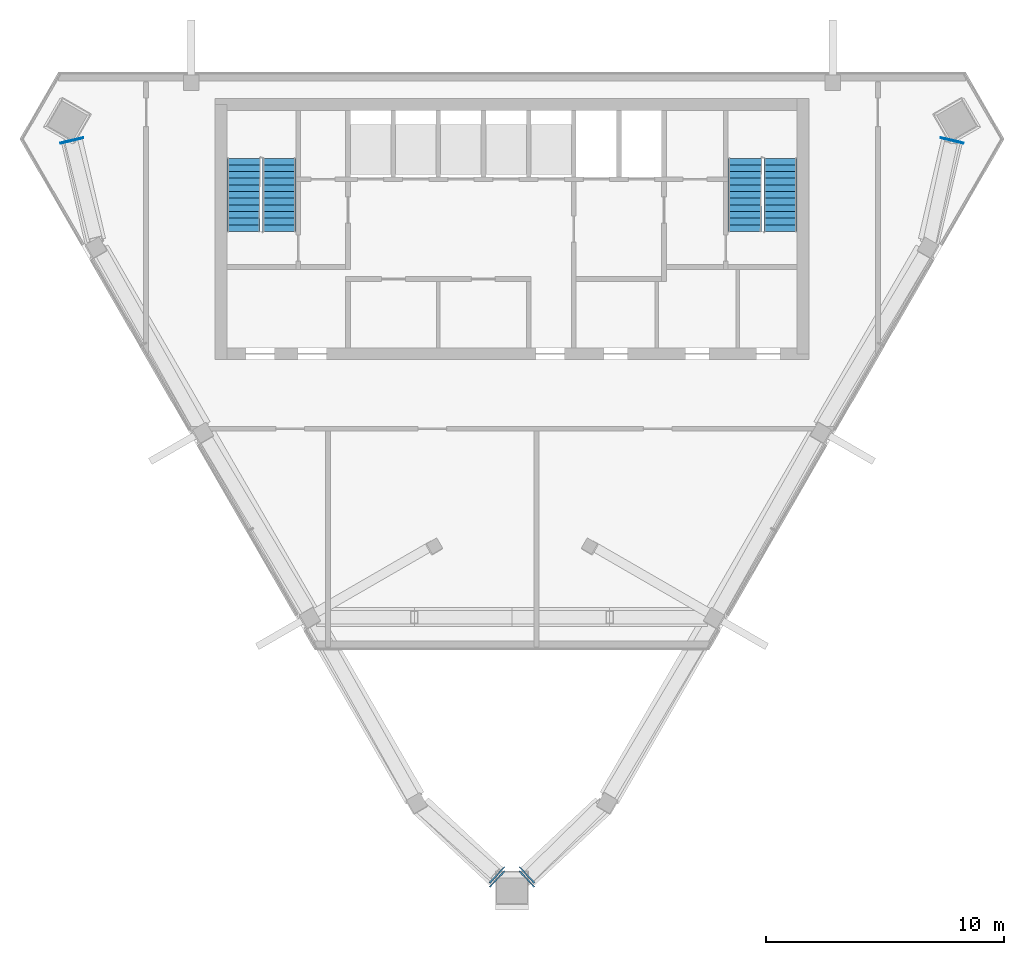
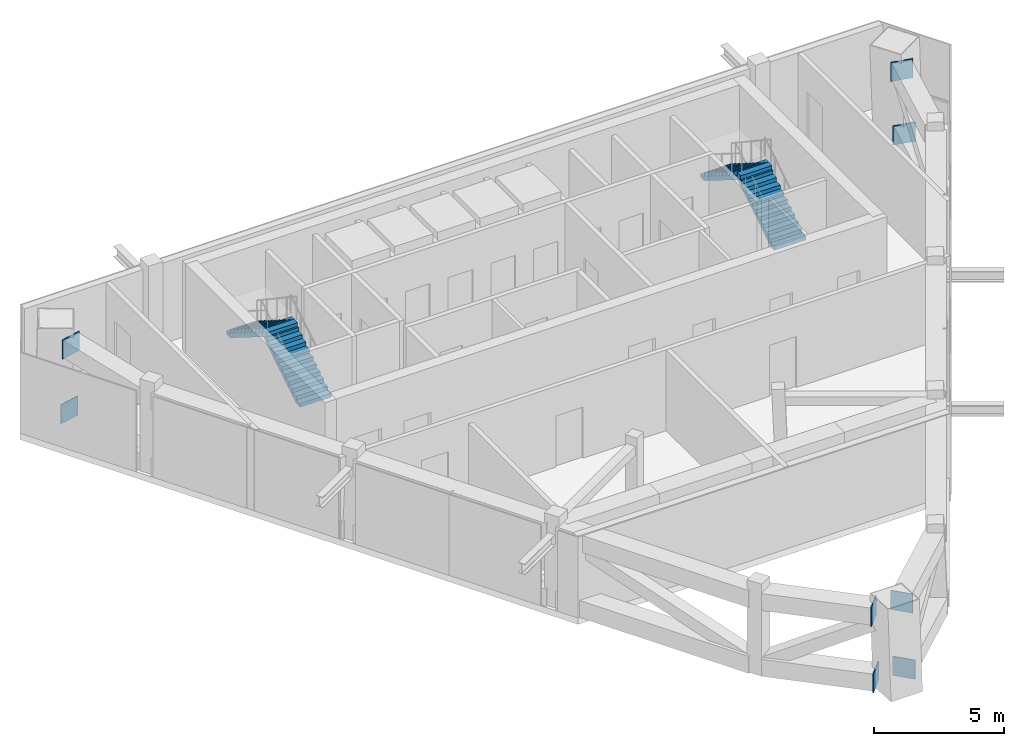
# One storey, part 7 of 9: 8 discrete accessories, 4 stair flights, 2 elements without a shape of their own.
"""IFC4 building model written with IfcOpenShell, lengths in metres."""

import ifcopenshell
import ifcopenshell.guid

model = None  # the IFC model being written
_history = None  # IfcOwnerHistory: only IFC2X3 demands one
_inside = {}  # id of a spatial element -> (the spatial element, [elements in it])
_under = {}  # id of a project, library or spatial element -> (it, [spatial elements below it])
_declared = {}  # id of a project -> (the project, [libraries it declares])
_typed = {}  # id of a type object -> (the type object, [elements of that type])
_made_of = {}  # id of a material, layer set ... -> (it, [elements and type objects made of it])


def new_model(schema):
    """Start an empty IFC model of exactly this schema.

    Asked for "IFC4X3", IfcOpenShell would pick the latest addendum, in which some entities
    have other attributes; the version numbers below select the first issue.
    IFC2X3 requires an IfcOwnerHistory on every rooted entity: one is made here for all.
    """
    global model, _history
    if schema == "IFC4X3":
        model = ifcopenshell.file(schema_version=(4, 3, 0, 0))
    else:
        model = ifcopenshell.file(schema=schema)
    _inside.clear()
    _under.clear()
    _declared.clear()
    _typed.clear()
    _made_of.clear()
    _history = None
    if model.schema == "IFC2X3":
        org = make("IfcOrganization", Name="unknown")
        user = make(
            "IfcPersonAndOrganization",
            ThePerson=make("IfcPerson", FamilyName="unknown"),
            TheOrganization=org,
        )
        app = make(
            "IfcApplication",
            ApplicationDeveloper=org,
            Version="unknown",
            ApplicationFullName="unknown",
            ApplicationIdentifier="unknown",
        )
        _history = make(
            "IfcOwnerHistory",
            OwningUser=user,
            OwningApplication=app,
            ChangeAction="ADDED",
            CreationDate=0,
        )
    return model


def make(cls, **values):
    """One entity of the class cls with the attributes given. An attribute that is None is left unset."""
    return model.create_entity(
        cls, **{name: value for name, value in values.items() if value is not None}
    )


def rooted(cls, **values):
    """An entity with a GlobalId (a new one), such as an element, a storey or a relation."""
    return make(cls, GlobalId=ifcopenshell.guid.new(), OwnerHistory=_history, **values)


def si_unit(unit_type, name, prefix=None):
    """IfcSIUnit, for example si_unit("LENGTHUNIT", "METRE", prefix="MILLI")."""
    return make("IfcSIUnit", UnitType=unit_type, Prefix=prefix, Name=name)


def assignment(units):
    """IfcUnitAssignment: the units of a project."""
    return None if units is None else make("IfcUnitAssignment", Units=units)


def point(xyz):
    """IfcCartesianPoint."""
    return None if xyz is None else make("IfcCartesianPoint", Coordinates=xyz)


def direction(xyz):
    """IfcDirection."""
    return None if xyz is None else make("IfcDirection", DirectionRatios=xyz)


def frame(location, z_axis=None, x_axis=None):
    """IfcAxis2Placement3D, a coordinate frame: its origin and axes. An axis left out is left unset."""
    return make(
        "IfcAxis2Placement3D",
        Location=point(location),
        Axis=direction(z_axis),
        RefDirection=direction(x_axis),
    )


def frame_2d(location, x_axis=None):
    """IfcAxis2Placement2D, a coordinate frame in the plane: its origin and x axis."""
    return make(
        "IfcAxis2Placement2D", Location=point(location), RefDirection=direction(x_axis)
    )


def origin():
    """The frame at (0, 0, 0) with its axes left unset."""
    return frame((0.0, 0.0, 0.0))


def origin_2d():
    """The frame at (0, 0) in the plane with its x axis left unset."""
    return frame_2d((0.0, 0.0))


def place(relative_to, where):
    """IfcLocalPlacement: puts the frame where relative to a parent placement (None: the world)."""
    return make(
        "IfcLocalPlacement", PlacementRelTo=relative_to, RelativePlacement=where
    )


def context(
    kind, dimensions, precision=None, world=None, true_north=None, identifier=None
):
    """IfcGeometricRepresentationContext, for example the 3D "Model" context."""
    return make(
        "IfcGeometricRepresentationContext",
        ContextIdentifier=identifier,
        ContextType=kind,
        CoordinateSpaceDimension=dimensions,
        Precision=precision,
        WorldCoordinateSystem=world,
        TrueNorth=true_north,
    )


def subcontext(parent, identifier, kind, view, scale=None):
    """IfcGeometricRepresentationSubContext, for example "Body" below "Model"."""
    return make(
        "IfcGeometricRepresentationSubContext",
        ContextIdentifier=identifier,
        ContextType=kind,
        ParentContext=parent,
        TargetScale=scale,
        TargetView=view,
    )


def project(units=None, contexts=None):
    """IfcProject with its units and contexts."""
    return rooted(
        "IfcProject",
        Name="project",
        RepresentationContexts=contexts,
        UnitsInContext=assignment(units),
    )


def spatial(cls, under=None, at=None, **own):
    """A site, building, storey or space (cls), placed at a placement, below another one or the project."""
    s = rooted(cls, ObjectPlacement=at, **own)
    if under is not None:
        _under.setdefault(under.id(), (under, []))[1].append(s)
    return s


def polyline(points):
    """IfcPolyline through the points."""
    return make("IfcPolyline", Points=[point(p) for p in points])


def profile(cls, at=None, kind="AREA", **sizes):
    """A parametric profile (cls). Its sizes go by their IFC names, for example OverallWidth=200.0."""
    return make(cls, ProfileType=kind, Position=at, **sizes)


def rectangle(**sizes):
    """IfcRectangleProfileDef."""
    return profile("IfcRectangleProfileDef", **sizes)


def outline(outer, holes=None, kind="AREA"):
    """IfcArbitraryClosedProfileDef: a profile drawn as a closed curve; with holes, ...WithVoids."""
    if holes is None:
        return make("IfcArbitraryClosedProfileDef", ProfileType=kind, OuterCurve=outer)
    return make(
        "IfcArbitraryProfileDefWithVoids",
        ProfileType=kind,
        OuterCurve=outer,
        InnerCurves=holes,
    )


def extrude(swept, where, along, depth):
    """IfcExtrudedAreaSolid: the profile swept, set in the frame where, extruded along a direction by depth."""
    return make(
        "IfcExtrudedAreaSolid",
        SweptArea=swept,
        Position=where,
        ExtrudedDirection=direction(along),
        Depth=depth,
    )


def shape(context_of_items, identifier, shape_type, items):
    """IfcShapeRepresentation: the items that make up one representation, for example the "Body"."""
    return make(
        "IfcShapeRepresentation",
        ContextOfItems=context_of_items,
        RepresentationIdentifier=identifier,
        RepresentationType=shape_type,
        Items=items,
    )


def material(Name=None, Category=None):
    """IfcMaterial."""
    return make("IfcMaterial", Name=Name, Category=Category)


def material_profile(
    of_material, cross_section, Name=None, Category=None, Priority=None
):
    """IfcMaterialProfile: a cross section and its material."""
    return make(
        "IfcMaterialProfile",
        Name=Name,
        Material=of_material,
        Profile=cross_section,
        Priority=Priority,
        Category=Category,
    )


def profile_set(profiles, Name=None, composite=None):
    """IfcMaterialProfileSet."""
    return make(
        "IfcMaterialProfileSet",
        Name=Name,
        MaterialProfiles=profiles,
        CompositeProfile=composite,
    )


def made_of(thing, what):
    """Note that an element or type object is made of a material, layer set ...; save() writes the relation."""
    if what is not None:
        _made_of.setdefault(what.id(), (what, []))[1].append(thing)
    return thing


def type_object(cls, material=None, **own):
    """A type object (cls), such as IfcWallType, which elements share."""
    return made_of(rooted(cls, **own), material)


def element(
    cls,
    number,
    at=None,
    inside=None,
    cuts=None,
    type_object=None,
    material=None,
    context=None,
    identifier="Body",
    shape_type=None,
    held_by="IfcProductDefinitionShape",
    body=None,
    shapes=None,
    **own,
):
    """One element of the class cls, such as IfcWall. Its Tag is "e" and its number.

    at: its placement. inside: the storey or other place that contains it. cuts: it is an
    opening in that element (IfcRelVoidsElement). A single representation is given by context,
    identifier, shape_type and body (its items); several are given by shapes. held_by: the class
    of the entity that holds the representations. save() writes the other relations.
    """
    e = rooted(cls, Tag="e%d" % number, ObjectPlacement=at, **own)
    if body is not None:
        shapes = [shape(context, identifier, shape_type, body)]
    if shapes is not None:
        e.Representation = make(held_by, Representations=shapes)
    if inside is not None:
        _inside.setdefault(inside.id(), (inside, []))[1].append(e)
    if cuts is not None:
        rooted(
            "IfcRelVoidsElement", RelatingBuildingElement=cuts, RelatedOpeningElement=e
        )
    if type_object is not None:
        _typed.setdefault(type_object.id(), (type_object, []))[1].append(e)
    return made_of(e, material)


def aggregate(whole, parts):
    """IfcRelAggregates: a whole, such as a stair, and the parts it consists of."""
    return rooted("IfcRelAggregates", RelatingObject=whole, RelatedObjects=parts)


def save(model, path):
    """Write the relations noted so far, then the file.

    IfcRelAggregates (storeys below a building ...), IfcRelContainedInSpatialStructure (elements
    in a storey), IfcRelDefinesByType, IfcRelAssociatesMaterial and IfcRelDeclares: one each for
    every whole, place, type object, material and project.
    """
    for whole, parts in _under.values():
        aggregate(whole, parts)
    for where, things in _inside.values():
        rooted(
            "IfcRelContainedInSpatialStructure",
            RelatedElements=things,
            RelatingStructure=where,
        )
    for kind, things in _typed.values():
        rooted("IfcRelDefinesByType", RelatedObjects=things, RelatingType=kind)
    for what, things in _made_of.values():
        rooted("IfcRelAssociatesMaterial", RelatedObjects=things, RelatingMaterial=what)
    for by, libraries in _declared.values():
        rooted("IfcRelDeclares", RelatingContext=by, RelatedDefinitions=libraries)
    model.write(path)


model = new_model("IFC4")

# Units and contexts
model_context = context("Model", 3, precision=1e-05, world=origin(), true_north=direction((0.0, 1.0)))
body_context = subcontext(model_context, "Body", "Model", "MODEL_VIEW")
ifc_project = project(units=[si_unit("LENGTHUNIT", "METRE"), si_unit("AREAUNIT", "SQUARE_METRE"), si_unit("VOLUMEUNIT", "CUBIC_METRE"), si_unit("PLANEANGLEUNIT", "RADIAN"), si_unit("MASSUNIT", "GRAM", prefix="KILO")], contexts=[model_context])

# Site, building, storey
site_placement = place(None, origin())
site = spatial("IfcSite", under=ifc_project, at=site_placement, CompositionType="ELEMENT")
building_placement = place(site_placement, origin())
building = spatial("IfcBuilding", under=site, at=building_placement, Name="Altiplano Prism Tower", CompositionType="ELEMENT")
storey_placement = place(building_placement, frame((0.0, 0.0, 343.0)))
storey = spatial("IfcBuildingStorey", under=building, at=storey_placement, Name="L89", CompositionType="ELEMENT", Elevation=343.0)

# Stair, stair flights
ifc_material_1 = material(Name="Concrete C40/50", Category="concrete")
stair_type = type_object("IfcStairType", Name="Exit stair 1400", PredefinedType="HALF_TURN_STAIR", material=ifc_material_1)
stair_1_placement = place(storey_placement, origin())
stair_1 = element("IfcStair", 1, at=stair_1_placement, inside=storey, type_object=stair_type, Name="L89 Exit Stair 1", PredefinedType="HALF_TURN_STAIR")
stair_flight_type = type_object("IfcStairFlightType", Name="Stair flight concrete 150", PredefinedType="STRAIGHT", material=ifc_material_1)
stair_flight_1_placement = place(storey_placement, frame((75.199951171875, 98.300048828125, 0.0), z_axis=(0.0, 0.0, 1.0), x_axis=(0.0, 1.0, 0.0)))
stair_flight_1 = element("IfcStairFlight", 2, at=stair_flight_1_placement, type_object=stair_flight_type, Name="ST1 flight 1", NumberOfRisers=12, NumberOfTreads=11, PredefinedType="STRAIGHT", RiserHeight=0.175, TreadLength=0.28, context=body_context, shape_type="SweptSolid", body=[
    extrude(outline(polyline([(0.0, 0.0), (0.0, 0.175048828125), (0.280029296875, 0.175048828125), (0.280029296875, 0.35009765625), (0.56005859375, 0.35009765625), (0.56005859375, 0.52490234375), (0.840087890625, 0.52490234375), (0.840087890625, 0.699951171875), (1.1201171875, 0.699951171875), (1.1201171875, 0.875), (1.39990234375, 0.875), (1.39990234375, 1.050048828125), (1.679931640625, 1.050048828125), (1.679931640625, 1.22509765625), (1.9599609375, 1.22509765625), (1.9599609375, 1.39990234375), (2.239990234375, 1.39990234375), (2.239990234375, 1.574951171875), (2.52001953125, 1.574951171875), (2.52001953125, 1.75), (2.800048828125, 1.75), (2.800048828125, 1.925048828125), (3.080078125, 1.925048828125), (3.080078125, 2.10009765625), (3.080078125, 1.748291015625), (0.28271484375, 0.0), (0.0, 0.0)])), frame((0.0, 0.699951171875, 0.0), z_axis=(0.0, -1.0, 0.0), x_axis=(1.0, 0.0, 0.0)), (0.0, 0.0, 1.0), 1.39990234375),
])
stair_flight_2_placement = place(storey_placement, frame((73.699951171875, 101.3798828125, 2.10009765625), z_axis=(0.0, 0.0, 1.0), x_axis=(0.0, -1.0, 0.0)))
stair_flight_2 = element("IfcStairFlight", 3, at=stair_flight_2_placement, type_object=stair_flight_type, Name="ST1 flight 2", NumberOfRisers=12, NumberOfTreads=11, PredefinedType="STRAIGHT", RiserHeight=0.175, TreadLength=0.28, context=body_context, shape_type="SweptSolid", body=[
    extrude(outline(polyline([(0.0, 0.0), (0.0, 0.175048828125), (0.280029296875, 0.175048828125), (0.280029296875, 0.35009765625), (0.56005859375, 0.35009765625), (0.56005859375, 0.52490234375), (0.840087890625, 0.52490234375), (0.840087890625, 0.699951171875), (1.1201171875, 0.699951171875), (1.1201171875, 0.875), (1.39990234375, 0.875), (1.39990234375, 1.050048828125), (1.679931640625, 1.050048828125), (1.679931640625, 1.22509765625), (1.9599609375, 1.22509765625), (1.9599609375, 1.39990234375), (2.239990234375, 1.39990234375), (2.239990234375, 1.574951171875), (2.52001953125, 1.574951171875), (2.52001953125, 1.75), (2.800048828125, 1.75), (2.800048828125, 1.925048828125), (3.080078125, 1.925048828125), (3.080078125, 2.10009765625), (3.080078125, 1.748291015625), (0.28271484375, 0.0), (0.0, 0.0)])), frame((0.0, 0.699951171875, 0.0), z_axis=(0.0, -1.0, 0.0), x_axis=(1.0, 0.0, 0.0)), (0.0, 0.0, 1.0), 1.39990234375),
])
aggregate(stair_1, [stair_flight_1, stair_flight_2])

stair_2_placement = place(storey_placement, origin())
stair_2 = element("IfcStair", 4, at=stair_2_placement, inside=storey, type_object=stair_type, Name="L89 Exit Stair 2", PredefinedType="HALF_TURN_STAIR")
stair_flight_3_placement = place(storey_placement, frame((96.300048828125, 98.300048828125, 0.0), z_axis=(0.0, 0.0, 1.0), x_axis=(0.0, 1.0, 0.0)))
stair_flight_3 = element("IfcStairFlight", 5, at=stair_flight_3_placement, type_object=stair_flight_type, Name="ST2 flight 1", NumberOfRisers=12, NumberOfTreads=11, PredefinedType="STRAIGHT", RiserHeight=0.175, TreadLength=0.28, context=body_context, shape_type="SweptSolid", body=[
    extrude(outline(polyline([(0.0, 0.0), (0.0, 0.175048828125), (0.280029296875, 0.175048828125), (0.280029296875, 0.35009765625), (0.56005859375, 0.35009765625), (0.56005859375, 0.52490234375), (0.840087890625, 0.52490234375), (0.840087890625, 0.699951171875), (1.1201171875, 0.699951171875), (1.1201171875, 0.875), (1.39990234375, 0.875), (1.39990234375, 1.050048828125), (1.679931640625, 1.050048828125), (1.679931640625, 1.22509765625), (1.9599609375, 1.22509765625), (1.9599609375, 1.39990234375), (2.239990234375, 1.39990234375), (2.239990234375, 1.574951171875), (2.52001953125, 1.574951171875), (2.52001953125, 1.75), (2.800048828125, 1.75), (2.800048828125, 1.925048828125), (3.080078125, 1.925048828125), (3.080078125, 2.10009765625), (3.080078125, 1.748291015625), (0.28271484375, 0.0), (0.0, 0.0)])), frame((0.0, 0.699951171875, 0.0), z_axis=(0.0, -1.0, 0.0), x_axis=(1.0, 0.0, 0.0)), (0.0, 0.0, 1.0), 1.39990234375),
])
stair_flight_4_placement = place(storey_placement, frame((94.800048828125, 101.3798828125, 2.10009765625), z_axis=(0.0, 0.0, 1.0), x_axis=(0.0, -1.0, 0.0)))
stair_flight_4 = element("IfcStairFlight", 6, at=stair_flight_4_placement, type_object=stair_flight_type, Name="ST2 flight 2", NumberOfRisers=12, NumberOfTreads=11, PredefinedType="STRAIGHT", RiserHeight=0.175, TreadLength=0.28, context=body_context, shape_type="SweptSolid", body=[
    extrude(outline(polyline([(0.0, 0.0), (0.0, 0.175048828125), (0.280029296875, 0.175048828125), (0.280029296875, 0.35009765625), (0.56005859375, 0.35009765625), (0.56005859375, 0.52490234375), (0.840087890625, 0.52490234375), (0.840087890625, 0.699951171875), (1.1201171875, 0.699951171875), (1.1201171875, 0.875), (1.39990234375, 0.875), (1.39990234375, 1.050048828125), (1.679931640625, 1.050048828125), (1.679931640625, 1.22509765625), (1.9599609375, 1.22509765625), (1.9599609375, 1.39990234375), (2.239990234375, 1.39990234375), (2.239990234375, 1.574951171875), (2.52001953125, 1.574951171875), (2.52001953125, 1.75), (2.800048828125, 1.75), (2.800048828125, 1.925048828125), (3.080078125, 1.925048828125), (3.080078125, 2.10009765625), (3.080078125, 1.748291015625), (0.28271484375, 0.0), (0.0, 0.0)])), frame((0.0, 0.699951171875, 0.0), z_axis=(0.0, -1.0, 0.0), x_axis=(1.0, 0.0, 0.0)), (0.0, 0.0, 1.0), 1.39990234375),
])
aggregate(stair_2, [stair_flight_3, stair_flight_4])

# Discrete accessories
ifc_material_2 = material(Name="Steel S355", Category="steel")
ifc_material_profile = material_profile(ifc_material_2, rectangle(XDim=0.89990234375, YDim=0.89990234375, at=origin_2d()), Name="Truss end plate 900x900x40")
ifc_profile_set = profile_set([ifc_material_profile], Name="Steel S355")
discrete_accessory_type = type_object("IfcDiscreteAccessoryType", Name="Truss end plate 900x900x40", PredefinedType="ANCHORPLATE", material=ifc_profile_set)
for number, where, z_axis, x_axis, name in (
    (7, (66.42919921875, 102.132568359375, 0.39990234375), (0.225304207648, -0.974288465505, 0.0), (0.974288465505, 0.225304207648, 0.0), "Truss end plate Transfer truss edge 1 chord b1 end 1"),
    (8, (66.5146484375, 102.160400390625, 3.39990234375), (0.225304207648, -0.974288465505, 0.0), (0.974288465505, 0.225304207648, 0.0), "Truss end plate Transfer truss edge 1 chord t1 end 1"),
    (9, (84.3876953125, 71.027587890625, 0.39990234375), (-0.731055268243, 0.68231825036, 0.0), (-0.68231825036, -0.731055268243, 0.0), "Truss end plate Transfer truss edge 1 chord b5 end 2"),
    (10, (84.387939453125, 71.203125, 3.39990234375), (-0.731055268243, 0.68231825036, 0.0), (-0.68231825036, -0.731055268243, 0.0), "Truss end plate Transfer truss edge 1 chord t5 end 2"),
    (11, (85.6123046875, 71.027587890625, 0.39990234375), (0.731055268243, 0.68231825036, 0.0), (-0.68231825036, 0.731055268243, 0.0), "Truss end plate Transfer truss edge 2 chord b1 end 1"),
    (12, (85.612060546875, 71.203125, 3.39990234375), (0.731055268243, 0.68231825036, 0.0), (-0.68231825036, 0.731055268243, 0.0), "Truss end plate Transfer truss edge 2 chord t1 end 1"),
    (13, (103.57080078125, 102.132568359375, 0.39990234375), (-0.225304207648, -0.974288465505, 0.0), (0.974288465505, -0.225304207648, 0.0), "Truss end plate Transfer truss edge 2 chord b5 end 2"),
    (14, (103.4853515625, 102.160400390625, 3.39990234375), (-0.225304207648, -0.974288465505, 0.0), (0.974288465505, -0.225304207648, 0.0), "Truss end plate Transfer truss edge 2 chord t5 end 2"),
):
    element("IfcDiscreteAccessory", number, at=place(storey_placement, frame(where, z_axis=z_axis, x_axis=x_axis)), inside=storey, type_object=discrete_accessory_type, Name=name, PredefinedType="ANCHORPLATE", context=body_context, shape_type="SweptSolid", body=[
        extrude(rectangle(XDim=0.89990234375, YDim=0.89990234375, at=origin_2d()), origin(), (0.0, 0.0, 1.0), 0.0400390625),
    ])

save(model, "model.ifc")
